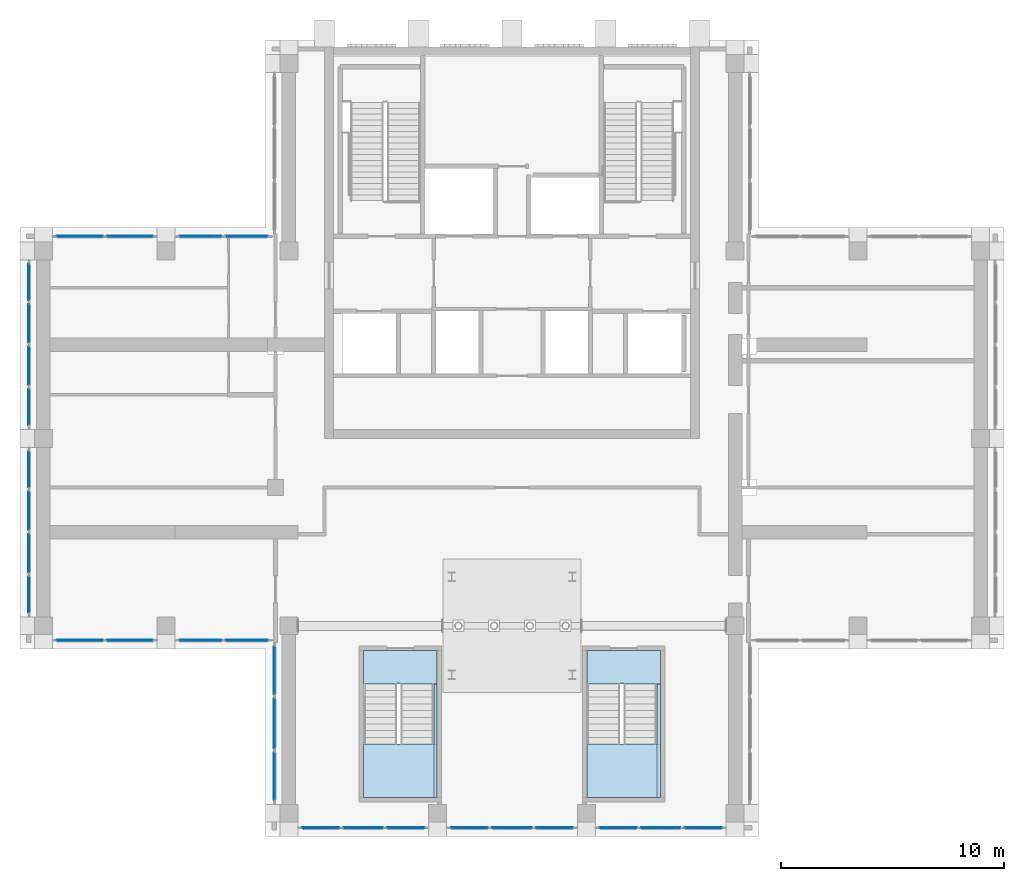
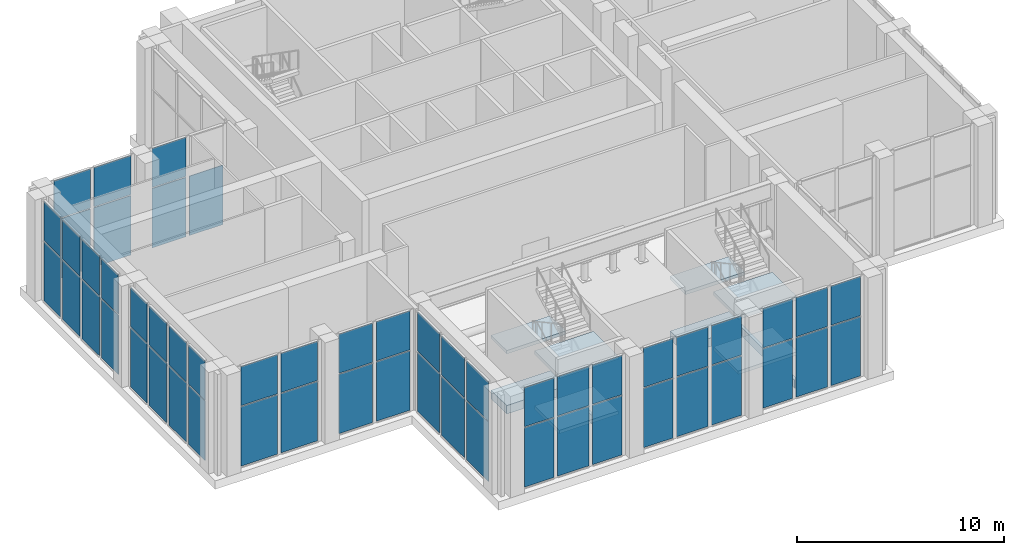
# One storey, part 7 of 14: 55 plates, 8 slabs, 12 elements without a shape of their own.
"""IFC4 building model written with IfcOpenShell, lengths in metres."""

import ifcopenshell
import ifcopenshell.guid

model = None  # the IFC model being written
_history = None  # IfcOwnerHistory: only IFC2X3 demands one
_inside = {}  # id of a spatial element -> (the spatial element, [elements in it])
_under = {}  # id of a project, library or spatial element -> (it, [spatial elements below it])
_declared = {}  # id of a project -> (the project, [libraries it declares])
_typed = {}  # id of a type object -> (the type object, [elements of that type])
_made_of = {}  # id of a material, layer set ... -> (it, [elements and type objects made of it])


def new_model(schema):
    """Start an empty IFC model of exactly this schema.

    Asked for "IFC4X3", IfcOpenShell would pick the latest addendum, in which some entities
    have other attributes; the version numbers below select the first issue.
    IFC2X3 requires an IfcOwnerHistory on every rooted entity: one is made here for all.
    """
    global model, _history
    if schema == "IFC4X3":
        model = ifcopenshell.file(schema_version=(4, 3, 0, 0))
    else:
        model = ifcopenshell.file(schema=schema)
    _inside.clear()
    _under.clear()
    _declared.clear()
    _typed.clear()
    _made_of.clear()
    _history = None
    if model.schema == "IFC2X3":
        org = make("IfcOrganization", Name="unknown")
        user = make(
            "IfcPersonAndOrganization",
            ThePerson=make("IfcPerson", FamilyName="unknown"),
            TheOrganization=org,
        )
        app = make(
            "IfcApplication",
            ApplicationDeveloper=org,
            Version="unknown",
            ApplicationFullName="unknown",
            ApplicationIdentifier="unknown",
        )
        _history = make(
            "IfcOwnerHistory",
            OwningUser=user,
            OwningApplication=app,
            ChangeAction="ADDED",
            CreationDate=0,
        )
    return model


def make(cls, **values):
    """One entity of the class cls with the attributes given. An attribute that is None is left unset."""
    return model.create_entity(
        cls, **{name: value for name, value in values.items() if value is not None}
    )


def rooted(cls, **values):
    """An entity with a GlobalId (a new one), such as an element, a storey or a relation."""
    return make(cls, GlobalId=ifcopenshell.guid.new(), OwnerHistory=_history, **values)


def si_unit(unit_type, name, prefix=None):
    """IfcSIUnit, for example si_unit("LENGTHUNIT", "METRE", prefix="MILLI")."""
    return make("IfcSIUnit", UnitType=unit_type, Prefix=prefix, Name=name)


def assignment(units):
    """IfcUnitAssignment: the units of a project."""
    return None if units is None else make("IfcUnitAssignment", Units=units)


def point(xyz):
    """IfcCartesianPoint."""
    return None if xyz is None else make("IfcCartesianPoint", Coordinates=xyz)


def direction(xyz):
    """IfcDirection."""
    return None if xyz is None else make("IfcDirection", DirectionRatios=xyz)


def frame(location, z_axis=None, x_axis=None):
    """IfcAxis2Placement3D, a coordinate frame: its origin and axes. An axis left out is left unset."""
    return make(
        "IfcAxis2Placement3D",
        Location=point(location),
        Axis=direction(z_axis),
        RefDirection=direction(x_axis),
    )


def frame_2d(location, x_axis=None):
    """IfcAxis2Placement2D, a coordinate frame in the plane: its origin and x axis."""
    return make(
        "IfcAxis2Placement2D", Location=point(location), RefDirection=direction(x_axis)
    )


def origin():
    """The frame at (0, 0, 0) with its axes left unset."""
    return frame((0.0, 0.0, 0.0))


def origin_2d():
    """The frame at (0, 0) in the plane with its x axis left unset."""
    return frame_2d((0.0, 0.0))


def place(relative_to, where):
    """IfcLocalPlacement: puts the frame where relative to a parent placement (None: the world)."""
    return make(
        "IfcLocalPlacement", PlacementRelTo=relative_to, RelativePlacement=where
    )


def context(
    kind, dimensions, precision=None, world=None, true_north=None, identifier=None
):
    """IfcGeometricRepresentationContext, for example the 3D "Model" context."""
    return make(
        "IfcGeometricRepresentationContext",
        ContextIdentifier=identifier,
        ContextType=kind,
        CoordinateSpaceDimension=dimensions,
        Precision=precision,
        WorldCoordinateSystem=world,
        TrueNorth=true_north,
    )


def subcontext(parent, identifier, kind, view, scale=None):
    """IfcGeometricRepresentationSubContext, for example "Body" below "Model"."""
    return make(
        "IfcGeometricRepresentationSubContext",
        ContextIdentifier=identifier,
        ContextType=kind,
        ParentContext=parent,
        TargetScale=scale,
        TargetView=view,
    )


def project(units=None, contexts=None):
    """IfcProject with its units and contexts."""
    return rooted(
        "IfcProject",
        Name="project",
        RepresentationContexts=contexts,
        UnitsInContext=assignment(units),
    )


def spatial(cls, under=None, at=None, **own):
    """A site, building, storey or space (cls), placed at a placement, below another one or the project."""
    s = rooted(cls, ObjectPlacement=at, **own)
    if under is not None:
        _under.setdefault(under.id(), (under, []))[1].append(s)
    return s


def polyline(points):
    """IfcPolyline through the points."""
    return make("IfcPolyline", Points=[point(p) for p in points])


def profile(cls, at=None, kind="AREA", **sizes):
    """A parametric profile (cls). Its sizes go by their IFC names, for example OverallWidth=200.0."""
    return make(cls, ProfileType=kind, Position=at, **sizes)


def rectangle(**sizes):
    """IfcRectangleProfileDef."""
    return profile("IfcRectangleProfileDef", **sizes)


def outline(outer, holes=None, kind="AREA"):
    """IfcArbitraryClosedProfileDef: a profile drawn as a closed curve; with holes, ...WithVoids."""
    if holes is None:
        return make("IfcArbitraryClosedProfileDef", ProfileType=kind, OuterCurve=outer)
    return make(
        "IfcArbitraryProfileDefWithVoids",
        ProfileType=kind,
        OuterCurve=outer,
        InnerCurves=holes,
    )


def extrude(swept, where, along, depth):
    """IfcExtrudedAreaSolid: the profile swept, set in the frame where, extruded along a direction by depth."""
    return make(
        "IfcExtrudedAreaSolid",
        SweptArea=swept,
        Position=where,
        ExtrudedDirection=direction(along),
        Depth=depth,
    )


def shape(context_of_items, identifier, shape_type, items):
    """IfcShapeRepresentation: the items that make up one representation, for example the "Body"."""
    return make(
        "IfcShapeRepresentation",
        ContextOfItems=context_of_items,
        RepresentationIdentifier=identifier,
        RepresentationType=shape_type,
        Items=items,
    )


def material(Name=None, Category=None):
    """IfcMaterial."""
    return make("IfcMaterial", Name=Name, Category=Category)


def layer(
    of_material, thickness, ventilated=None, Name=None, Category=None, Priority=None
):
    """IfcMaterialLayer: one layer of a wall or slab, of a material (None: an air gap)."""
    return make(
        "IfcMaterialLayer",
        Material=of_material,
        LayerThickness=thickness,
        IsVentilated=ventilated,
        Name=Name,
        Category=Category,
        Priority=Priority,
    )


def layer_set(layers, Name=None):
    """IfcMaterialLayerSet."""
    return make("IfcMaterialLayerSet", MaterialLayers=layers, LayerSetName=Name)


def made_of(thing, what):
    """Note that an element or type object is made of a material, layer set ...; save() writes the relation."""
    if what is not None:
        _made_of.setdefault(what.id(), (what, []))[1].append(thing)
    return thing


def type_object(cls, material=None, **own):
    """A type object (cls), such as IfcWallType, which elements share."""
    return made_of(rooted(cls, **own), material)


def element(
    cls,
    number,
    at=None,
    inside=None,
    cuts=None,
    type_object=None,
    material=None,
    context=None,
    identifier="Body",
    shape_type=None,
    held_by="IfcProductDefinitionShape",
    body=None,
    shapes=None,
    **own,
):
    """One element of the class cls, such as IfcWall. Its Tag is "e" and its number.

    at: its placement. inside: the storey or other place that contains it. cuts: it is an
    opening in that element (IfcRelVoidsElement). A single representation is given by context,
    identifier, shape_type and body (its items); several are given by shapes. held_by: the class
    of the entity that holds the representations. save() writes the other relations.
    """
    e = rooted(cls, Tag="e%d" % number, ObjectPlacement=at, **own)
    if body is not None:
        shapes = [shape(context, identifier, shape_type, body)]
    if shapes is not None:
        e.Representation = make(held_by, Representations=shapes)
    if inside is not None:
        _inside.setdefault(inside.id(), (inside, []))[1].append(e)
    if cuts is not None:
        rooted(
            "IfcRelVoidsElement", RelatingBuildingElement=cuts, RelatedOpeningElement=e
        )
    if type_object is not None:
        _typed.setdefault(type_object.id(), (type_object, []))[1].append(e)
    return made_of(e, material)


def aggregate(whole, parts):
    """IfcRelAggregates: a whole, such as a stair, and the parts it consists of."""
    return rooted("IfcRelAggregates", RelatingObject=whole, RelatedObjects=parts)


def save(model, path):
    """Write the relations noted so far, then the file.

    IfcRelAggregates (storeys below a building ...), IfcRelContainedInSpatialStructure (elements
    in a storey), IfcRelDefinesByType, IfcRelAssociatesMaterial and IfcRelDeclares: one each for
    every whole, place, type object, material and project.
    """
    for whole, parts in _under.values():
        aggregate(whole, parts)
    for where, things in _inside.values():
        rooted(
            "IfcRelContainedInSpatialStructure",
            RelatedElements=things,
            RelatingStructure=where,
        )
    for kind, things in _typed.values():
        rooted("IfcRelDefinesByType", RelatedObjects=things, RelatingType=kind)
    for what, things in _made_of.values():
        rooted("IfcRelAssociatesMaterial", RelatedObjects=things, RelatingMaterial=what)
    for by, libraries in _declared.values():
        rooted("IfcRelDeclares", RelatingContext=by, RelatedDefinitions=libraries)
    model.write(path)


model = new_model("IFC4")

# Units and contexts
model_context = context("Model", 3, precision=1e-05, world=origin(), true_north=direction((0.0, 1.0)))
body_context = subcontext(model_context, "Body", "Model", "MODEL_VIEW")
ifc_project = project(units=[si_unit("LENGTHUNIT", "METRE"), si_unit("AREAUNIT", "SQUARE_METRE"), si_unit("VOLUMEUNIT", "CUBIC_METRE"), si_unit("PLANEANGLEUNIT", "RADIAN"), si_unit("MASSUNIT", "GRAM", prefix="KILO")], contexts=[model_context])

# Site, building, storey
site_placement = place(None, origin())
site = spatial("IfcSite", under=ifc_project, at=site_placement, CompositionType="ELEMENT")
building_placement = place(site_placement, origin())
building = spatial("IfcBuilding", under=site, at=building_placement, Name="Vermilion Ogive Tower", CompositionType="ELEMENT")
storey_placement = place(building_placement, frame((0.0, 0.0, 278.35009765625)))
storey = spatial("IfcBuildingStorey", under=building, at=storey_placement, Name="L73", CompositionType="ELEMENT", Elevation=278.35009765625)

# Curtain wall, plates
ifc_material_1 = material(Name="Laminated solar-control glazing in aluminium frame", Category="aluminium")
curtain_wall_type = type_object("IfcCurtainWallType", Name="Curtain wall CW4", PredefinedType="NOTDEFINED", material=ifc_material_1)
curtain_wall_1_placement = place(storey_placement, origin())
curtain_wall_1 = element("IfcCurtainWall", 1, at=curtain_wall_1_placement, inside=storey, type_object=curtain_wall_type, Name="CW4 glazing S1", PredefinedType="NOTDEFINED")
ifc_material_2 = material(Name="Laminated solar-control glazing in aluminium frame", Category="aluminium")
ifc_layer_1 = layer(ifc_material_2, 0.0400390625)
ifc_layer_set_1 = layer_set([ifc_layer_1], Name="CW4 glazing panel 40")
plate_type = type_object("IfcPlateType", Name="CW4 glazing panel 40", PredefinedType="CURTAIN_PANEL", material=ifc_layer_set_1)
plate_1_placement = place(storey_placement, frame((-8.572265625, -13.25, 0.06005859375), z_axis=(0.0, 0.0, 1.0), x_axis=(1.0, 0.0, 0.0)))
plate_1 = element("IfcPlate", 2, at=plate_1_placement, type_object=plate_type, Name="CW4-S1 panel 1.1", PredefinedType="CURTAIN_PANEL", context=body_context, shape_type="SweptSolid", body=[
    extrude(rectangle(XDim=1.655517578125, YDim=0.0400390625, at=origin_2d()), origin(), (0.0, 0.0, 1.0), 3.510009765625),
])
plate_2_placement = place(storey_placement, frame((-8.572265625, -13.25, 3.6298828125), z_axis=(0.0, 0.0, 1.0), x_axis=(1.0, 0.0, 0.0)))
plate_2 = element("IfcPlate", 3, at=plate_2_placement, type_object=plate_type, Name="CW4-S1 panel 1.2", PredefinedType="CURTAIN_PANEL", context=body_context, shape_type="SweptSolid", body=[
    extrude(rectangle(XDim=1.655517578125, YDim=0.0400390625, at=origin_2d()), origin(), (0.0, 0.0, 1.0), 2.31005859375),
])
plate_3_placement = place(storey_placement, frame((-6.666748046875, -13.25, 0.06005859375), z_axis=(0.0, 0.0, 1.0), x_axis=(1.0, 0.0, 0.0)))
plate_3 = element("IfcPlate", 4, at=plate_3_placement, type_object=plate_type, Name="CW4-S1 panel 2.1", PredefinedType="CURTAIN_PANEL", context=body_context, shape_type="SweptSolid", body=[
    extrude(rectangle(XDim=1.755615234375, YDim=0.0400390625, at=origin_2d()), origin(), (0.0, 0.0, 1.0), 3.510009765625),
])
plate_4_placement = place(storey_placement, frame((-6.666748046875, -13.25, 3.6298828125), z_axis=(0.0, 0.0, 1.0), x_axis=(1.0, 0.0, 0.0)))
plate_4 = element("IfcPlate", 5, at=plate_4_placement, type_object=plate_type, Name="CW4-S1 panel 2.2", PredefinedType="CURTAIN_PANEL", context=body_context, shape_type="SweptSolid", body=[
    extrude(rectangle(XDim=1.755615234375, YDim=0.0400390625, at=origin_2d()), origin(), (0.0, 0.0, 1.0), 2.31005859375),
])
plate_5_placement = place(storey_placement, frame((-4.76123046875, -13.25, 0.06005859375), z_axis=(0.0, 0.0, 1.0), x_axis=(1.0, 0.0, 0.0)))
plate_5 = element("IfcPlate", 6, at=plate_5_placement, type_object=plate_type, Name="CW4-S1 panel 3.1", PredefinedType="CURTAIN_PANEL", context=body_context, shape_type="SweptSolid", body=[
    extrude(rectangle(XDim=1.655517578125, YDim=0.0400390625, at=origin_2d()), origin(), (0.0, 0.0, 1.0), 3.510009765625),
])
plate_6_placement = place(storey_placement, frame((-4.76123046875, -13.25, 3.6298828125), z_axis=(0.0, 0.0, 1.0), x_axis=(1.0, 0.0, 0.0)))
plate_6 = element("IfcPlate", 7, at=plate_6_placement, type_object=plate_type, Name="CW4-S1 panel 3.2", PredefinedType="CURTAIN_PANEL", context=body_context, shape_type="SweptSolid", body=[
    extrude(rectangle(XDim=1.655517578125, YDim=0.0400390625, at=origin_2d()), origin(), (0.0, 0.0, 1.0), 2.31005859375),
])
aggregate(curtain_wall_1, [plate_1, plate_2, plate_3, plate_4, plate_5, plate_6])

curtain_wall_2_placement = place(storey_placement, origin())
curtain_wall_2 = element("IfcCurtainWall", 8, at=curtain_wall_2_placement, inside=storey, type_object=curtain_wall_type, Name="CW4 glazing S2", PredefinedType="NOTDEFINED")
plate_7_placement = place(storey_placement, frame((-1.905517578125, -13.25, 0.06005859375), z_axis=(0.0, 0.0, 1.0), x_axis=(1.0, 0.0, 0.0)))
plate_7 = element("IfcPlate", 9, at=plate_7_placement, type_object=plate_type, Name="CW4-S2 panel 1.1", PredefinedType="CURTAIN_PANEL", context=body_context, shape_type="SweptSolid", body=[
    extrude(rectangle(XDim=1.655517578125, YDim=0.0400390625, at=origin_2d()), origin(), (0.0, 0.0, 1.0), 3.510009765625),
])
plate_8_placement = place(storey_placement, frame((-1.905517578125, -13.25, 3.6298828125), z_axis=(0.0, 0.0, 1.0), x_axis=(1.0, 0.0, 0.0)))
plate_8 = element("IfcPlate", 10, at=plate_8_placement, type_object=plate_type, Name="CW4-S2 panel 1.2", PredefinedType="CURTAIN_PANEL", context=body_context, shape_type="SweptSolid", body=[
    extrude(rectangle(XDim=1.655517578125, YDim=0.0400390625, at=origin_2d()), origin(), (0.0, 0.0, 1.0), 2.31005859375),
])
plate_9_placement = place(storey_placement, frame((0.0, -13.25, 0.06005859375), z_axis=(0.0, 0.0, 1.0), x_axis=(1.0, 0.0, 0.0)))
plate_9 = element("IfcPlate", 11, at=plate_9_placement, type_object=plate_type, Name="CW4-S2 panel 2.1", PredefinedType="CURTAIN_PANEL", context=body_context, shape_type="SweptSolid", body=[
    extrude(rectangle(XDim=1.755615234375, YDim=0.0400390625, at=origin_2d()), origin(), (0.0, 0.0, 1.0), 3.510009765625),
])
plate_10_placement = place(storey_placement, frame((0.0, -13.25, 3.6298828125), z_axis=(0.0, 0.0, 1.0), x_axis=(1.0, 0.0, 0.0)))
plate_10 = element("IfcPlate", 12, at=plate_10_placement, type_object=plate_type, Name="CW4-S2 panel 2.2", PredefinedType="CURTAIN_PANEL", context=body_context, shape_type="SweptSolid", body=[
    extrude(rectangle(XDim=1.755615234375, YDim=0.0400390625, at=origin_2d()), origin(), (0.0, 0.0, 1.0), 2.31005859375),
])
plate_11_placement = place(storey_placement, frame((1.905517578125, -13.25, 0.06005859375), z_axis=(0.0, 0.0, 1.0), x_axis=(1.0, 0.0, 0.0)))
plate_11 = element("IfcPlate", 13, at=plate_11_placement, type_object=plate_type, Name="CW4-S2 panel 3.1", PredefinedType="CURTAIN_PANEL", context=body_context, shape_type="SweptSolid", body=[
    extrude(rectangle(XDim=1.655517578125, YDim=0.0400390625, at=origin_2d()), origin(), (0.0, 0.0, 1.0), 3.510009765625),
])
plate_12_placement = place(storey_placement, frame((1.905517578125, -13.25, 3.6298828125), z_axis=(0.0, 0.0, 1.0), x_axis=(1.0, 0.0, 0.0)))
plate_12 = element("IfcPlate", 14, at=plate_12_placement, type_object=plate_type, Name="CW4-S2 panel 3.2", PredefinedType="CURTAIN_PANEL", context=body_context, shape_type="SweptSolid", body=[
    extrude(rectangle(XDim=1.655517578125, YDim=0.0400390625, at=origin_2d()), origin(), (0.0, 0.0, 1.0), 2.31005859375),
])
aggregate(curtain_wall_2, [plate_7, plate_8, plate_9, plate_10, plate_11, plate_12])

curtain_wall_3_placement = place(storey_placement, origin())
curtain_wall_3 = element("IfcCurtainWall", 15, at=curtain_wall_3_placement, inside=storey, type_object=curtain_wall_type, Name="CW4 glazing S3", PredefinedType="NOTDEFINED")
plate_13_placement = place(storey_placement, frame((4.76123046875, -13.25, 0.06005859375), z_axis=(0.0, 0.0, 1.0), x_axis=(1.0, 0.0, 0.0)))
plate_13 = element("IfcPlate", 16, at=plate_13_placement, type_object=plate_type, Name="CW4-S3 panel 1.1", PredefinedType="CURTAIN_PANEL", context=body_context, shape_type="SweptSolid", body=[
    extrude(rectangle(XDim=1.655517578125, YDim=0.0400390625, at=origin_2d()), origin(), (0.0, 0.0, 1.0), 3.510009765625),
])
plate_14_placement = place(storey_placement, frame((4.76123046875, -13.25, 3.6298828125), z_axis=(0.0, 0.0, 1.0), x_axis=(1.0, 0.0, 0.0)))
plate_14 = element("IfcPlate", 17, at=plate_14_placement, type_object=plate_type, Name="CW4-S3 panel 1.2", PredefinedType="CURTAIN_PANEL", context=body_context, shape_type="SweptSolid", body=[
    extrude(rectangle(XDim=1.655517578125, YDim=0.0400390625, at=origin_2d()), origin(), (0.0, 0.0, 1.0), 2.31005859375),
])
plate_15_placement = place(storey_placement, frame((6.666748046875, -13.25, 0.06005859375), z_axis=(0.0, 0.0, 1.0), x_axis=(1.0, 0.0, 0.0)))
plate_15 = element("IfcPlate", 18, at=plate_15_placement, type_object=plate_type, Name="CW4-S3 panel 2.1", PredefinedType="CURTAIN_PANEL", context=body_context, shape_type="SweptSolid", body=[
    extrude(rectangle(XDim=1.755615234375, YDim=0.0400390625, at=origin_2d()), origin(), (0.0, 0.0, 1.0), 3.510009765625),
])
plate_16_placement = place(storey_placement, frame((6.666748046875, -13.25, 3.6298828125), z_axis=(0.0, 0.0, 1.0), x_axis=(1.0, 0.0, 0.0)))
plate_16 = element("IfcPlate", 19, at=plate_16_placement, type_object=plate_type, Name="CW4-S3 panel 2.2", PredefinedType="CURTAIN_PANEL", context=body_context, shape_type="SweptSolid", body=[
    extrude(rectangle(XDim=1.755615234375, YDim=0.0400390625, at=origin_2d()), origin(), (0.0, 0.0, 1.0), 2.31005859375),
])
plate_17_placement = place(storey_placement, frame((8.572265625, -13.25, 0.06005859375), z_axis=(0.0, 0.0, 1.0), x_axis=(1.0, 0.0, 0.0)))
plate_17 = element("IfcPlate", 20, at=plate_17_placement, type_object=plate_type, Name="CW4-S3 panel 3.1", PredefinedType="CURTAIN_PANEL", context=body_context, shape_type="SweptSolid", body=[
    extrude(rectangle(XDim=1.655517578125, YDim=0.0400390625, at=origin_2d()), origin(), (0.0, 0.0, 1.0), 3.510009765625),
])
plate_18_placement = place(storey_placement, frame((8.572265625, -13.25, 3.6298828125), z_axis=(0.0, 0.0, 1.0), x_axis=(1.0, 0.0, 0.0)))
plate_18 = element("IfcPlate", 21, at=plate_18_placement, type_object=plate_type, Name="CW4-S3 panel 3.2", PredefinedType="CURTAIN_PANEL", context=body_context, shape_type="SweptSolid", body=[
    extrude(rectangle(XDim=1.655517578125, YDim=0.0400390625, at=origin_2d()), origin(), (0.0, 0.0, 1.0), 2.31005859375),
])
aggregate(curtain_wall_3, [plate_13, plate_14, plate_15, plate_16, plate_17, plate_18])

curtain_wall_4_placement = place(storey_placement, origin())
curtain_wall_4 = element("IfcCurtainWall", 22, at=curtain_wall_4_placement, inside=storey, type_object=curtain_wall_type, Name="CW4 glazing X61", PredefinedType="NOTDEFINED")
plate_19_placement = place(storey_placement, frame((-11.887451171875, 13.25, 0.06005859375), z_axis=(0.0, 0.0, 1.0), x_axis=(-1.0, 0.0, 0.0)))
plate_19 = element("IfcPlate", 23, at=plate_19_placement, type_object=plate_type, Name="CW4-X61 panel 1.1", PredefinedType="CURTAIN_PANEL", context=body_context, shape_type="SweptSolid", body=[
    extrude(rectangle(XDim=1.875, YDim=0.0400390625, at=origin_2d()), origin(), (0.0, 0.0, 1.0), 3.510009765625),
])
plate_20_placement = place(storey_placement, frame((-13.96240234375, 13.25, 0.06005859375), z_axis=(0.0, 0.0, 1.0), x_axis=(-1.0, 0.0, 0.0)))
plate_20 = element("IfcPlate", 24, at=plate_20_placement, type_object=plate_type, Name="CW4-X61 panel 2.1", PredefinedType="CURTAIN_PANEL", context=body_context, shape_type="SweptSolid", body=[
    extrude(rectangle(XDim=1.875, YDim=0.0400390625, at=origin_2d()), origin(), (0.0, 0.0, 1.0), 3.510009765625),
])
plate_21_placement = place(storey_placement, frame((-13.96240234375, 13.25, 3.6298828125), z_axis=(0.0, 0.0, 1.0), x_axis=(-1.0, 0.0, 0.0)))
plate_21 = element("IfcPlate", 25, at=plate_21_placement, type_object=plate_type, Name="CW4-X61 panel 2.2", PredefinedType="CURTAIN_PANEL", context=body_context, shape_type="SweptSolid", body=[
    extrude(rectangle(XDim=1.875, YDim=0.0400390625, at=origin_2d()), origin(), (0.0, 0.0, 1.0), 2.31005859375),
])
aggregate(curtain_wall_4, [plate_19, plate_20, plate_21])

curtain_wall_5_placement = place(storey_placement, origin())
curtain_wall_5 = element("IfcCurtainWall", 26, at=curtain_wall_5_placement, inside=storey, type_object=curtain_wall_type, Name="CW4 glazing X62", PredefinedType="NOTDEFINED")
plate_22_placement = place(storey_placement, frame((-17.125, 13.25, 0.06005859375), z_axis=(0.0, 0.0, 1.0), x_axis=(-1.0, 0.0, 0.0)))
plate_22 = element("IfcPlate", 27, at=plate_22_placement, type_object=plate_type, Name="CW4-X62 panel 1.1", PredefinedType="CURTAIN_PANEL", context=body_context, shape_type="SweptSolid", body=[
    extrude(rectangle(XDim=2.050048828125, YDim=0.0400390625, at=origin_2d()), origin(), (0.0, 0.0, 1.0), 3.510009765625),
])
plate_23_placement = place(storey_placement, frame((-17.125, 13.25, 3.6298828125), z_axis=(0.0, 0.0, 1.0), x_axis=(-1.0, 0.0, 0.0)))
plate_23 = element("IfcPlate", 28, at=plate_23_placement, type_object=plate_type, Name="CW4-X62 panel 1.2", PredefinedType="CURTAIN_PANEL", context=body_context, shape_type="SweptSolid", body=[
    extrude(rectangle(XDim=2.050048828125, YDim=0.0400390625, at=origin_2d()), origin(), (0.0, 0.0, 1.0), 2.31005859375),
])
plate_24_placement = place(storey_placement, frame((-19.375, 13.25, 0.06005859375), z_axis=(0.0, 0.0, 1.0), x_axis=(-1.0, 0.0, 0.0)))
plate_24 = element("IfcPlate", 29, at=plate_24_placement, type_object=plate_type, Name="CW4-X62 panel 2.1", PredefinedType="CURTAIN_PANEL", context=body_context, shape_type="SweptSolid", body=[
    extrude(rectangle(XDim=2.050048828125, YDim=0.0400390625, at=origin_2d()), origin(), (0.0, 0.0, 1.0), 3.510009765625),
])
plate_25_placement = place(storey_placement, frame((-19.375, 13.25, 3.6298828125), z_axis=(0.0, 0.0, 1.0), x_axis=(-1.0, 0.0, 0.0)))
plate_25 = element("IfcPlate", 30, at=plate_25_placement, type_object=plate_type, Name="CW4-X62 panel 2.2", PredefinedType="CURTAIN_PANEL", context=body_context, shape_type="SweptSolid", body=[
    extrude(rectangle(XDim=2.050048828125, YDim=0.0400390625, at=origin_2d()), origin(), (0.0, 0.0, 1.0), 2.31005859375),
])
aggregate(curtain_wall_5, [plate_22, plate_23, plate_24, plate_25])

curtain_wall_6_placement = place(storey_placement, origin())
curtain_wall_6 = element("IfcCurtainWall", 31, at=curtain_wall_6_placement, inside=storey, type_object=curtain_wall_type, Name="CW4 glazing W1", PredefinedType="NOTDEFINED")
plate_26_placement = place(storey_placement, frame((-21.64990234375, 11.199951171875, 0.06005859375), z_axis=(0.0, 0.0, 1.0), x_axis=(0.0, -1.0, 0.0)))
plate_26 = element("IfcPlate", 32, at=plate_26_placement, type_object=plate_type, Name="CW4-W1 panel 1.1", PredefinedType="CURTAIN_PANEL", context=body_context, shape_type="SweptSolid", body=[
    extrude(rectangle(XDim=1.60009765625, YDim=0.0400390625, at=origin_2d()), origin(), (0.0, 0.0, 1.0), 3.510009765625),
])
plate_27_placement = place(storey_placement, frame((-21.64990234375, 11.199951171875, 3.6298828125), z_axis=(0.0, 0.0, 1.0), x_axis=(0.0, -1.0, 0.0)))
plate_27 = element("IfcPlate", 33, at=plate_27_placement, type_object=plate_type, Name="CW4-W1 panel 1.2", PredefinedType="CURTAIN_PANEL", context=body_context, shape_type="SweptSolid", body=[
    extrude(rectangle(XDim=1.60009765625, YDim=0.0400390625, at=origin_2d()), origin(), (0.0, 0.0, 1.0), 2.31005859375),
])
plate_28_placement = place(storey_placement, frame((-21.64990234375, 9.35009765625, 0.06005859375), z_axis=(0.0, 0.0, 1.0), x_axis=(0.0, -1.0, 0.0)))
plate_28 = element("IfcPlate", 34, at=plate_28_placement, type_object=plate_type, Name="CW4-W1 panel 2.1", PredefinedType="CURTAIN_PANEL", context=body_context, shape_type="SweptSolid", body=[
    extrude(rectangle(XDim=1.699951171875, YDim=0.0400390625, at=origin_2d()), origin(), (0.0, 0.0, 1.0), 3.510009765625),
])
plate_29_placement = place(storey_placement, frame((-21.64990234375, 9.35009765625, 3.6298828125), z_axis=(0.0, 0.0, 1.0), x_axis=(0.0, -1.0, 0.0)))
plate_29 = element("IfcPlate", 35, at=plate_29_placement, type_object=plate_type, Name="CW4-W1 panel 2.2", PredefinedType="CURTAIN_PANEL", context=body_context, shape_type="SweptSolid", body=[
    extrude(rectangle(XDim=1.699951171875, YDim=0.0400390625, at=origin_2d()), origin(), (0.0, 0.0, 1.0), 2.31005859375),
])
plate_30_placement = place(storey_placement, frame((-21.64990234375, 7.449951171875, 0.06005859375), z_axis=(0.0, 0.0, 1.0), x_axis=(0.0, -1.0, 0.0)))
plate_30 = element("IfcPlate", 36, at=plate_30_placement, type_object=plate_type, Name="CW4-W1 panel 3.1", PredefinedType="CURTAIN_PANEL", context=body_context, shape_type="SweptSolid", body=[
    extrude(rectangle(XDim=1.699951171875, YDim=0.0400390625, at=origin_2d()), origin(), (0.0, 0.0, 1.0), 3.510009765625),
])
plate_31_placement = place(storey_placement, frame((-21.64990234375, 7.449951171875, 3.6298828125), z_axis=(0.0, 0.0, 1.0), x_axis=(0.0, -1.0, 0.0)))
plate_31 = element("IfcPlate", 37, at=plate_31_placement, type_object=plate_type, Name="CW4-W1 panel 3.2", PredefinedType="CURTAIN_PANEL", context=body_context, shape_type="SweptSolid", body=[
    extrude(rectangle(XDim=1.699951171875, YDim=0.0400390625, at=origin_2d()), origin(), (0.0, 0.0, 1.0), 2.31005859375),
])
plate_32_placement = place(storey_placement, frame((-21.64990234375, 5.60009765625, 0.06005859375), z_axis=(0.0, 0.0, 1.0), x_axis=(0.0, -1.0, 0.0)))
plate_32 = element("IfcPlate", 38, at=plate_32_placement, type_object=plate_type, Name="CW4-W1 panel 4.1", PredefinedType="CURTAIN_PANEL", context=body_context, shape_type="SweptSolid", body=[
    extrude(rectangle(XDim=1.60009765625, YDim=0.0400390625, at=origin_2d()), origin(), (0.0, 0.0, 1.0), 3.510009765625),
])
plate_33_placement = place(storey_placement, frame((-21.64990234375, 5.60009765625, 3.6298828125), z_axis=(0.0, 0.0, 1.0), x_axis=(0.0, -1.0, 0.0)))
plate_33 = element("IfcPlate", 39, at=plate_33_placement, type_object=plate_type, Name="CW4-W1 panel 4.2", PredefinedType="CURTAIN_PANEL", context=body_context, shape_type="SweptSolid", body=[
    extrude(rectangle(XDim=1.60009765625, YDim=0.0400390625, at=origin_2d()), origin(), (0.0, 0.0, 1.0), 2.31005859375),
])
aggregate(curtain_wall_6, [plate_26, plate_27, plate_28, plate_29, plate_30, plate_31, plate_32, plate_33])

curtain_wall_7_placement = place(storey_placement, origin())
curtain_wall_7 = element("IfcCurtainWall", 40, at=curtain_wall_7_placement, inside=storey, type_object=curtain_wall_type, Name="CW4 glazing W2", PredefinedType="NOTDEFINED")
plate_34_placement = place(storey_placement, frame((-21.64990234375, 2.800048828125, 0.06005859375), z_axis=(0.0, 0.0, 1.0), x_axis=(0.0, -1.0, 0.0)))
plate_34 = element("IfcPlate", 41, at=plate_34_placement, type_object=plate_type, Name="CW4-W2 panel 1.1", PredefinedType="CURTAIN_PANEL", context=body_context, shape_type="SweptSolid", body=[
    extrude(rectangle(XDim=1.60009765625, YDim=0.0400390625, at=origin_2d()), origin(), (0.0, 0.0, 1.0), 3.510009765625),
])
plate_35_placement = place(storey_placement, frame((-21.64990234375, 2.800048828125, 3.6298828125), z_axis=(0.0, 0.0, 1.0), x_axis=(0.0, -1.0, 0.0)))
plate_35 = element("IfcPlate", 42, at=plate_35_placement, type_object=plate_type, Name="CW4-W2 panel 1.2", PredefinedType="CURTAIN_PANEL", context=body_context, shape_type="SweptSolid", body=[
    extrude(rectangle(XDim=1.60009765625, YDim=0.0400390625, at=origin_2d()), origin(), (0.0, 0.0, 1.0), 2.31005859375),
])
plate_36_placement = place(storey_placement, frame((-21.64990234375, 0.949951171875, 0.06005859375), z_axis=(0.0, 0.0, 1.0), x_axis=(0.0, -1.0, 0.0)))
plate_36 = element("IfcPlate", 43, at=plate_36_placement, type_object=plate_type, Name="CW4-W2 panel 2.1", PredefinedType="CURTAIN_PANEL", context=body_context, shape_type="SweptSolid", body=[
    extrude(rectangle(XDim=1.699951171875, YDim=0.0400390625, at=origin_2d()), origin(), (0.0, 0.0, 1.0), 3.510009765625),
])
plate_37_placement = place(storey_placement, frame((-21.64990234375, 0.949951171875, 3.6298828125), z_axis=(0.0, 0.0, 1.0), x_axis=(0.0, -1.0, 0.0)))
plate_37 = element("IfcPlate", 44, at=plate_37_placement, type_object=plate_type, Name="CW4-W2 panel 2.2", PredefinedType="CURTAIN_PANEL", context=body_context, shape_type="SweptSolid", body=[
    extrude(rectangle(XDim=1.699951171875, YDim=0.0400390625, at=origin_2d()), origin(), (0.0, 0.0, 1.0), 2.31005859375),
])
plate_38_placement = place(storey_placement, frame((-21.64990234375, -0.949951171875, 0.06005859375), z_axis=(0.0, 0.0, 1.0), x_axis=(0.0, -1.0, 0.0)))
plate_38 = element("IfcPlate", 45, at=plate_38_placement, type_object=plate_type, Name="CW4-W2 panel 3.1", PredefinedType="CURTAIN_PANEL", context=body_context, shape_type="SweptSolid", body=[
    extrude(rectangle(XDim=1.699951171875, YDim=0.0400390625, at=origin_2d()), origin(), (0.0, 0.0, 1.0), 3.510009765625),
])
plate_39_placement = place(storey_placement, frame((-21.64990234375, -0.949951171875, 3.6298828125), z_axis=(0.0, 0.0, 1.0), x_axis=(0.0, -1.0, 0.0)))
plate_39 = element("IfcPlate", 46, at=plate_39_placement, type_object=plate_type, Name="CW4-W2 panel 3.2", PredefinedType="CURTAIN_PANEL", context=body_context, shape_type="SweptSolid", body=[
    extrude(rectangle(XDim=1.699951171875, YDim=0.0400390625, at=origin_2d()), origin(), (0.0, 0.0, 1.0), 2.31005859375),
])
plate_40_placement = place(storey_placement, frame((-21.64990234375, -2.800048828125, 0.06005859375), z_axis=(0.0, 0.0, 1.0), x_axis=(0.0, -1.0, 0.0)))
plate_40 = element("IfcPlate", 47, at=plate_40_placement, type_object=plate_type, Name="CW4-W2 panel 4.1", PredefinedType="CURTAIN_PANEL", context=body_context, shape_type="SweptSolid", body=[
    extrude(rectangle(XDim=1.60009765625, YDim=0.0400390625, at=origin_2d()), origin(), (0.0, 0.0, 1.0), 3.510009765625),
])
plate_41_placement = place(storey_placement, frame((-21.64990234375, -2.800048828125, 3.6298828125), z_axis=(0.0, 0.0, 1.0), x_axis=(0.0, -1.0, 0.0)))
plate_41 = element("IfcPlate", 48, at=plate_41_placement, type_object=plate_type, Name="CW4-W2 panel 4.2", PredefinedType="CURTAIN_PANEL", context=body_context, shape_type="SweptSolid", body=[
    extrude(rectangle(XDim=1.60009765625, YDim=0.0400390625, at=origin_2d()), origin(), (0.0, 0.0, 1.0), 2.31005859375),
])
aggregate(curtain_wall_7, [plate_34, plate_35, plate_36, plate_37, plate_38, plate_39, plate_40, plate_41])

curtain_wall_8_placement = place(storey_placement, origin())
curtain_wall_8 = element("IfcCurtainWall", 49, at=curtain_wall_8_placement, inside=storey, type_object=curtain_wall_type, Name="CW4 glazing X71", PredefinedType="NOTDEFINED")
plate_42_placement = place(storey_placement, frame((-19.375, -4.85009765625, 0.06005859375), z_axis=(0.0, 0.0, 1.0), x_axis=(1.0, 0.0, 0.0)))
plate_42 = element("IfcPlate", 50, at=plate_42_placement, type_object=plate_type, Name="CW4-X71 panel 1.1", PredefinedType="CURTAIN_PANEL", context=body_context, shape_type="SweptSolid", body=[
    extrude(rectangle(XDim=2.050048828125, YDim=0.0400390625, at=origin_2d()), origin(), (0.0, 0.0, 1.0), 3.510009765625),
])
plate_43_placement = place(storey_placement, frame((-19.375, -4.85009765625, 3.6298828125), z_axis=(0.0, 0.0, 1.0), x_axis=(1.0, 0.0, 0.0)))
plate_43 = element("IfcPlate", 51, at=plate_43_placement, type_object=plate_type, Name="CW4-X71 panel 1.2", PredefinedType="CURTAIN_PANEL", context=body_context, shape_type="SweptSolid", body=[
    extrude(rectangle(XDim=2.050048828125, YDim=0.0400390625, at=origin_2d()), origin(), (0.0, 0.0, 1.0), 2.31005859375),
])
plate_44_placement = place(storey_placement, frame((-17.125, -4.85009765625, 0.06005859375), z_axis=(0.0, 0.0, 1.0), x_axis=(1.0, 0.0, 0.0)))
plate_44 = element("IfcPlate", 52, at=plate_44_placement, type_object=plate_type, Name="CW4-X71 panel 2.1", PredefinedType="CURTAIN_PANEL", context=body_context, shape_type="SweptSolid", body=[
    extrude(rectangle(XDim=2.050048828125, YDim=0.0400390625, at=origin_2d()), origin(), (0.0, 0.0, 1.0), 3.510009765625),
])
plate_45_placement = place(storey_placement, frame((-17.125, -4.85009765625, 3.6298828125), z_axis=(0.0, 0.0, 1.0), x_axis=(1.0, 0.0, 0.0)))
plate_45 = element("IfcPlate", 53, at=plate_45_placement, type_object=plate_type, Name="CW4-X71 panel 2.2", PredefinedType="CURTAIN_PANEL", context=body_context, shape_type="SweptSolid", body=[
    extrude(rectangle(XDim=2.050048828125, YDim=0.0400390625, at=origin_2d()), origin(), (0.0, 0.0, 1.0), 2.31005859375),
])
aggregate(curtain_wall_8, [plate_42, plate_43, plate_44, plate_45])

curtain_wall_9_placement = place(storey_placement, origin())
curtain_wall_9 = element("IfcCurtainWall", 54, at=curtain_wall_9_placement, inside=storey, type_object=curtain_wall_type, Name="CW4 glazing X72", PredefinedType="NOTDEFINED")
plate_46_placement = place(storey_placement, frame((-13.96240234375, -4.85009765625, 0.06005859375), z_axis=(0.0, 0.0, 1.0), x_axis=(1.0, 0.0, 0.0)))
plate_46 = element("IfcPlate", 55, at=plate_46_placement, type_object=plate_type, Name="CW4-X72 panel 1.1", PredefinedType="CURTAIN_PANEL", context=body_context, shape_type="SweptSolid", body=[
    extrude(rectangle(XDim=1.875, YDim=0.0400390625, at=origin_2d()), origin(), (0.0, 0.0, 1.0), 3.510009765625),
])
plate_47_placement = place(storey_placement, frame((-13.96240234375, -4.85009765625, 3.6298828125), z_axis=(0.0, 0.0, 1.0), x_axis=(1.0, 0.0, 0.0)))
plate_47 = element("IfcPlate", 56, at=plate_47_placement, type_object=plate_type, Name="CW4-X72 panel 1.2", PredefinedType="CURTAIN_PANEL", context=body_context, shape_type="SweptSolid", body=[
    extrude(rectangle(XDim=1.875, YDim=0.0400390625, at=origin_2d()), origin(), (0.0, 0.0, 1.0), 2.31005859375),
])
plate_48_placement = place(storey_placement, frame((-11.887451171875, -4.85009765625, 0.06005859375), z_axis=(0.0, 0.0, 1.0), x_axis=(1.0, 0.0, 0.0)))
plate_48 = element("IfcPlate", 57, at=plate_48_placement, type_object=plate_type, Name="CW4-X72 panel 2.1", PredefinedType="CURTAIN_PANEL", context=body_context, shape_type="SweptSolid", body=[
    extrude(rectangle(XDim=1.875, YDim=0.0400390625, at=origin_2d()), origin(), (0.0, 0.0, 1.0), 3.510009765625),
])
plate_49_placement = place(storey_placement, frame((-11.887451171875, -4.85009765625, 3.6298828125), z_axis=(0.0, 0.0, 1.0), x_axis=(1.0, 0.0, 0.0)))
plate_49 = element("IfcPlate", 58, at=plate_49_placement, type_object=plate_type, Name="CW4-X72 panel 2.2", PredefinedType="CURTAIN_PANEL", context=body_context, shape_type="SweptSolid", body=[
    extrude(rectangle(XDim=1.875, YDim=0.0400390625, at=origin_2d()), origin(), (0.0, 0.0, 1.0), 2.31005859375),
])
aggregate(curtain_wall_9, [plate_46, plate_47, plate_48, plate_49])

curtain_wall_10_placement = place(storey_placement, origin())
curtain_wall_10 = element("IfcCurtainWall", 59, at=curtain_wall_10_placement, inside=storey, type_object=curtain_wall_type, Name="CW4 glazing X81", PredefinedType="NOTDEFINED")
plate_50_placement = place(storey_placement, frame((-10.64990234375, -6.208251953125, 0.06005859375), z_axis=(0.0, 0.0, 1.0), x_axis=(0.0, -1.0, 0.0)))
plate_50 = element("IfcPlate", 60, at=plate_50_placement, type_object=plate_type, Name="CW4-X81 panel 1.1", PredefinedType="CURTAIN_PANEL", context=body_context, shape_type="SweptSolid", body=[
    extrude(rectangle(XDim=2.11669921875, YDim=0.0400390625, at=origin_2d()), origin(), (0.0, 0.0, 1.0), 3.510009765625),
])
plate_51_placement = place(storey_placement, frame((-10.64990234375, -6.208251953125, 3.6298828125), z_axis=(0.0, 0.0, 1.0), x_axis=(0.0, -1.0, 0.0)))
plate_51 = element("IfcPlate", 61, at=plate_51_placement, type_object=plate_type, Name="CW4-X81 panel 1.2", PredefinedType="CURTAIN_PANEL", context=body_context, shape_type="SweptSolid", body=[
    extrude(rectangle(XDim=2.11669921875, YDim=0.0400390625, at=origin_2d()), origin(), (0.0, 0.0, 1.0), 2.31005859375),
])
plate_52_placement = place(storey_placement, frame((-10.64990234375, -8.574951171875, 0.06005859375), z_axis=(0.0, 0.0, 1.0), x_axis=(0.0, -1.0, 0.0)))
plate_52 = element("IfcPlate", 62, at=plate_52_placement, type_object=plate_type, Name="CW4-X81 panel 2.1", PredefinedType="CURTAIN_PANEL", context=body_context, shape_type="SweptSolid", body=[
    extrude(rectangle(XDim=2.216552734375, YDim=0.0400390625, at=origin_2d()), origin(), (0.0, 0.0, 1.0), 3.510009765625),
])
plate_53_placement = place(storey_placement, frame((-10.64990234375, -8.574951171875, 3.6298828125), z_axis=(0.0, 0.0, 1.0), x_axis=(0.0, -1.0, 0.0)))
plate_53 = element("IfcPlate", 63, at=plate_53_placement, type_object=plate_type, Name="CW4-X81 panel 2.2", PredefinedType="CURTAIN_PANEL", context=body_context, shape_type="SweptSolid", body=[
    extrude(rectangle(XDim=2.216552734375, YDim=0.0400390625, at=origin_2d()), origin(), (0.0, 0.0, 1.0), 2.31005859375),
])
plate_54_placement = place(storey_placement, frame((-10.64990234375, -10.941650390625, 0.06005859375), z_axis=(0.0, 0.0, 1.0), x_axis=(0.0, -1.0, 0.0)))
plate_54 = element("IfcPlate", 64, at=plate_54_placement, type_object=plate_type, Name="CW4-X81 panel 3.1", PredefinedType="CURTAIN_PANEL", context=body_context, shape_type="SweptSolid", body=[
    extrude(rectangle(XDim=2.11669921875, YDim=0.0400390625, at=origin_2d()), origin(), (0.0, 0.0, 1.0), 3.510009765625),
])
plate_55_placement = place(storey_placement, frame((-10.64990234375, -10.941650390625, 3.6298828125), z_axis=(0.0, 0.0, 1.0), x_axis=(0.0, -1.0, 0.0)))
plate_55 = element("IfcPlate", 65, at=plate_55_placement, type_object=plate_type, Name="CW4-X81 panel 3.2", PredefinedType="CURTAIN_PANEL", context=body_context, shape_type="SweptSolid", body=[
    extrude(rectangle(XDim=2.11669921875, YDim=0.0400390625, at=origin_2d()), origin(), (0.0, 0.0, 1.0), 2.31005859375),
])
aggregate(curtain_wall_10, [plate_50, plate_51, plate_52, plate_53, plate_54, plate_55])

# Slabs
ifc_material_3 = material(Name="Concrete B40", Category="concrete")
ifc_layer_2 = layer(ifc_material_3, 0.5)
ifc_layer_set_2 = layer_set([ifc_layer_2], Name="Core floor slab 500 B40")
slab_type_1 = type_object("IfcSlabType", Name="Core floor slab 500 B40", PredefinedType="FLOOR", material=ifc_layer_set_2)
slab_1_placement = place(storey_placement, frame((0.0, 0.0, -0.5)))
element("IfcSlab", 66, at=slab_1_placement, inside=storey, type_object=slab_type_1, Name="L73-SF-ST6-1", PredefinedType="FLOOR", context=body_context, shape_type="SweptSolid", body=[
    extrude(outline(polyline([(3.35009765625, -5.300048828125), (3.35009765625, -6.802001953125), (4.85009765625, -6.802001953125), (4.85009765625, -6.800048828125), (5.0, -6.800048828125), (5.0, -6.802001953125), (6.5, -6.802001953125), (6.5, -11.89990234375), (6.64990234375, -11.89990234375), (6.64990234375, -5.300048828125), (3.35009765625, -5.300048828125)])), origin(), (0.0, 0.0, 1.0), 0.5),
])
slab_2_placement = place(storey_placement, frame((0.0, 0.0, -0.5)))
element("IfcSlab", 67, at=slab_2_placement, inside=storey, type_object=slab_type_1, Name="L73-SF-ST7-1", PredefinedType="FLOOR", context=body_context, shape_type="SweptSolid", body=[
    extrude(outline(polyline([(-6.64990234375, -5.300048828125), (-6.64990234375, -6.802001953125), (-5.14990234375, -6.802001953125), (-5.14990234375, -6.800048828125), (-5.0, -6.800048828125), (-5.0, -6.802001953125), (-3.5, -6.802001953125), (-3.5, -11.89990234375), (-3.35009765625, -11.89990234375), (-3.35009765625, -5.300048828125), (-6.64990234375, -5.300048828125)])), origin(), (0.0, 0.0, 1.0), 0.5),
])

# Stair, slabs
ifc_material_4 = material(Name="Concrete B40", Category="concrete")
stair_type = type_object("IfcStairType", Name="Exit stair 1500", PredefinedType="HALF_TURN_STAIR", material=ifc_material_4)
stair_1_placement = place(storey_placement, origin())
stair_1 = element("IfcStair", 68, at=stair_1_placement, inside=storey, type_object=stair_type, Name="L73 Exit Stair ST6", PredefinedType="HALF_TURN_STAIR")
ifc_material_5 = material(Name="Concrete B40", Category="concrete")
ifc_layer_3 = layer(ifc_material_5, 0.199951171875)
ifc_layer_set_3 = layer_set([ifc_layer_3], Name="Stair landing 200")
slab_type_2 = type_object("IfcSlabType", Name="Stair landing 200", PredefinedType="LANDING", material=ifc_layer_set_3)
slab_3_placement = place(storey_placement, frame((0.0, 0.0, 1.4248046875)))
slab_3 = element("IfcSlab", 69, at=slab_3_placement, type_object=slab_type_2, Name="ST6 landing 1", PredefinedType="LANDING", context=body_context, shape_type="SweptSolid", body=[
    extrude(outline(polyline([(6.64990234375, -9.5), (6.5, -9.5), (6.5, -9.498046875), (5.0, -9.498046875), (5.0, -9.5), (4.85009765625, -9.5), (4.85009765625, -9.498046875), (3.35009765625, -9.498046875), (3.35009765625, -11.89990234375), (6.64990234375, -11.89990234375), (6.64990234375, -9.5)])), origin(), (0.0, 0.0, 1.0), 0.2001953125),
])
slab_4_placement = place(storey_placement, frame((0.0, 0.0, 3.0498046875)))
slab_4 = element("IfcSlab", 70, at=slab_4_placement, type_object=slab_type_2, Name="ST6 landing 2", PredefinedType="LANDING", context=body_context, shape_type="SweptSolid", body=[
    extrude(outline(polyline([(3.35009765625, -5.300048828125), (3.35009765625, -6.802001953125), (4.85009765625, -6.802001953125), (4.85009765625, -6.800048828125), (5.0, -6.800048828125), (5.0, -6.802001953125), (6.5, -6.802001953125), (6.5, -6.800048828125), (6.64990234375, -6.800048828125), (6.64990234375, -5.300048828125), (3.35009765625, -5.300048828125)])), origin(), (0.0, 0.0, 1.0), 0.2001953125),
])
slab_5_placement = place(storey_placement, frame((0.0, 0.0, 4.6748046875)))
slab_5 = element("IfcSlab", 71, at=slab_5_placement, type_object=slab_type_2, Name="ST6 landing 3", PredefinedType="LANDING", context=body_context, shape_type="SweptSolid", body=[
    extrude(outline(polyline([(6.64990234375, -9.5), (6.5, -9.5), (6.5, -9.498046875), (5.0, -9.498046875), (5.0, -9.5), (4.85009765625, -9.5), (4.85009765625, -9.498046875), (3.35009765625, -9.498046875), (3.35009765625, -11.89990234375), (6.64990234375, -11.89990234375), (6.64990234375, -9.5)])), origin(), (0.0, 0.0, 1.0), 0.2001953125),
])
aggregate(stair_1, [slab_3, slab_4, slab_5])

stair_2_placement = place(storey_placement, origin())
stair_2 = element("IfcStair", 72, at=stair_2_placement, inside=storey, type_object=stair_type, Name="L73 Exit Stair ST7", PredefinedType="HALF_TURN_STAIR")
slab_6_placement = place(storey_placement, frame((0.0, 0.0, 1.4248046875)))
slab_6 = element("IfcSlab", 73, at=slab_6_placement, type_object=slab_type_2, Name="ST7 landing 1", PredefinedType="LANDING", context=body_context, shape_type="SweptSolid", body=[
    extrude(outline(polyline([(-3.35009765625, -9.5), (-3.5, -9.5), (-3.5, -9.498046875), (-5.0, -9.498046875), (-5.0, -9.5), (-5.14990234375, -9.5), (-5.14990234375, -9.498046875), (-6.64990234375, -9.498046875), (-6.64990234375, -11.89990234375), (-3.35009765625, -11.89990234375), (-3.35009765625, -9.5)])), origin(), (0.0, 0.0, 1.0), 0.2001953125),
])
slab_7_placement = place(storey_placement, frame((0.0, 0.0, 3.0498046875)))
slab_7 = element("IfcSlab", 74, at=slab_7_placement, type_object=slab_type_2, Name="ST7 landing 2", PredefinedType="LANDING", context=body_context, shape_type="SweptSolid", body=[
    extrude(outline(polyline([(-6.64990234375, -5.300048828125), (-6.64990234375, -6.802001953125), (-5.14990234375, -6.802001953125), (-5.14990234375, -6.800048828125), (-5.0, -6.800048828125), (-5.0, -6.802001953125), (-3.5, -6.802001953125), (-3.5, -6.800048828125), (-3.35009765625, -6.800048828125), (-3.35009765625, -5.300048828125), (-6.64990234375, -5.300048828125)])), origin(), (0.0, 0.0, 1.0), 0.2001953125),
])
slab_8_placement = place(storey_placement, frame((0.0, 0.0, 4.6748046875)))
slab_8 = element("IfcSlab", 75, at=slab_8_placement, type_object=slab_type_2, Name="ST7 landing 3", PredefinedType="LANDING", context=body_context, shape_type="SweptSolid", body=[
    extrude(outline(polyline([(-3.35009765625, -9.5), (-3.5, -9.5), (-3.5, -9.498046875), (-5.0, -9.498046875), (-5.0, -9.5), (-5.14990234375, -9.5), (-5.14990234375, -9.498046875), (-6.64990234375, -9.498046875), (-6.64990234375, -11.89990234375), (-3.35009765625, -11.89990234375), (-3.35009765625, -9.5)])), origin(), (0.0, 0.0, 1.0), 0.2001953125),
])
aggregate(stair_2, [slab_6, slab_7, slab_8])

save(model, "model.ifc")
